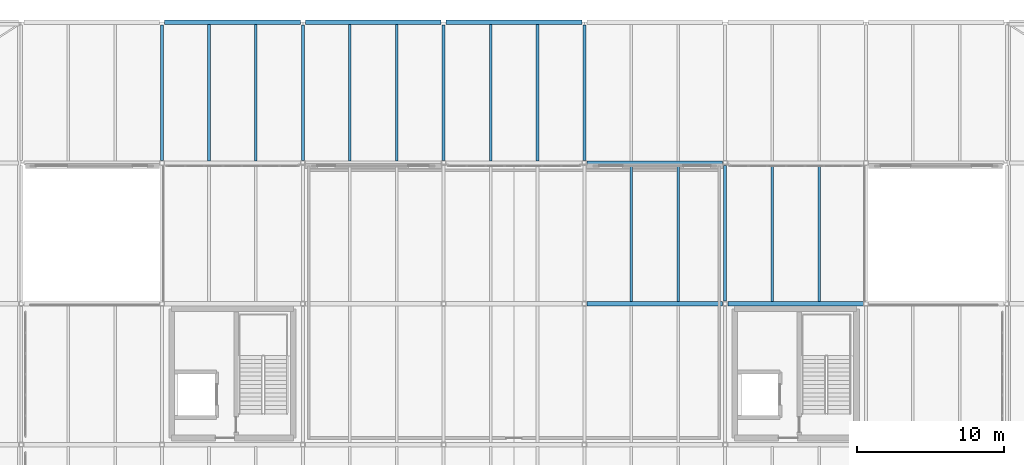
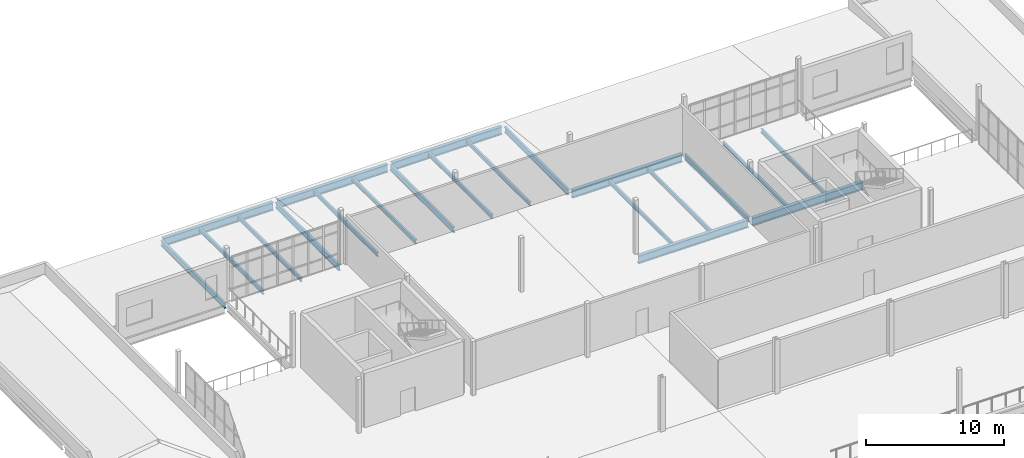
# One storey, part 52 of 112: 21 beams.
"""IFC4 building model written with IfcOpenShell, lengths in metres."""

from ifc_helpers import new_model, si_unit, direction, frame, origin, origin_2d, place, context, subcontext, project, spatial, i_section, extrude, material, material_profile, profile_set, type_object, element, save


model = new_model("IFC4")

# Units and contexts
model_context = context("Model", 3, precision=1e-05, world=origin(), true_north=direction((0.0, 1.0)))
body_context = subcontext(model_context, "Body", "Model", "MODEL_VIEW")
ifc_project = project(units=[si_unit("LENGTHUNIT", "METRE"), si_unit("AREAUNIT", "SQUARE_METRE"), si_unit("VOLUMEUNIT", "CUBIC_METRE"), si_unit("PLANEANGLEUNIT", "RADIAN"), si_unit("MASSUNIT", "GRAM", prefix="KILO")], contexts=[model_context])

# Site, building, storey
site_placement = place(None, origin())
site = spatial("IfcSite", under=ifc_project, at=site_placement, CompositionType="ELEMENT")
building_placement = place(site_placement, origin())
building = spatial("IfcBuilding", under=site, at=building_placement, Name="Yeouljin Market Hall", CompositionType="ELEMENT")
storey_placement = place(building_placement, frame((0.0, 0.0, 6.0)))
storey = spatial("IfcBuildingStorey", under=building, at=storey_placement, Name="L01", CompositionType="ELEMENT", Elevation=6.0)

# Beams
ifc_material_1 = material(Name="Steel SM355", Category="steel")
ifc_material_profile_1 = material_profile(ifc_material_1, i_section(OverallWidth=0.199951171875, OverallDepth=0.5, WebThickness=0.010009765625, FlangeThickness=0.01611328125, FilletRadius=0.02001953125, at=origin_2d()), Name="H-500x200x10x16")
ifc_profile_set_1 = profile_set([ifc_material_profile_1], Name="Steel SM355")
beam_type_1 = type_object("IfcBeamType", Name="Beam_H-500x200x10x16", PredefinedType="BEAM", material=ifc_profile_set_1)
for number, where, z_axis, x_axis, name in (
    (1, (102.60009765625, 98.574951171875, -0.510009765625), (0.0, 1.0, 0.0), (-1.0, 0.0, 0.0), "Primary beam BM-L01-Y188"),
    (2, (64.199951171875, 108.175048828125, -0.530029296875), (0.0, 1.0, 0.0), (-1.0, 0.0, 0.0), "Primary beam BM-V4DK-Y01"),
    (3, (73.800048828125, 108.175048828125, -0.530029296875), (0.0, 1.0, 0.0), (-1.0, 0.0, 0.0), "Primary beam BM-V4DK-Y02"),
    (4, (83.39990234375, 108.175048828125, -0.530029296875), (0.0, 1.0, 0.0), (-1.0, 0.0, 0.0), "Primary beam BM-V4DK-Y03"),
    (5, (93.0, 108.175048828125, -0.530029296875), (0.0, 1.0, 0.0), (-1.0, 0.0, 0.0), "Primary beam BM-V4DK-Y04"),
):
    element("IfcBeam", number, at=place(storey_placement, frame(where, z_axis=z_axis, x_axis=x_axis)), inside=storey, type_object=beam_type_1, Name=name, PredefinedType="BEAM", context=body_context, shape_type="SweptSolid", body=[
        extrude(i_section(OverallWidth=0.199951171875, OverallDepth=0.5, WebThickness=0.010009765625, FlangeThickness=0.01611328125, FilletRadius=0.02001953125, at=origin_2d()), origin(), (0.0, 0.0, 1.0), 9.25),
    ])
ifc_material_2 = material(Name="Steel SM355", Category="steel")
ifc_material_profile_2 = material_profile(ifc_material_2, i_section(OverallWidth=0.300048828125, OverallDepth=0.699951171875, WebThickness=0.012939453125, FlangeThickness=0.02392578125, FilletRadius=0.02587890625, at=origin_2d()), Name="H-700x300x13x24")
ifc_profile_set_2 = profile_set([ifc_material_profile_2], Name="Steel SM355")
beam_type_2 = type_object("IfcBeamType", Name="Girder_H-700x300x13x24", PredefinedType="USERDEFINED", material=ifc_profile_set_2)
for number, where, z_axis, x_axis, name in (
    (6, (93.175048828125, 98.39990234375, -0.610107421875), (1.0, 0.0, 0.0), (0.0, 1.0, 0.0), "Primary girder GRD-L01-X111"),
    (7, (102.77490234375, 98.39990234375, -0.610107421875), (1.0, 0.0, 0.0), (0.0, 1.0, 0.0), "Primary girder GRD-L01-X112"),
    (8, (93.175048828125, 108.0, -0.610107421875), (1.0, 0.0, 0.0), (0.0, 1.0, 0.0), "Primary girder GRD-L01-X119"),
    (9, (64.375, 117.60009765625, -0.6298828125), (1.0, 0.0, 0.0), (0.0, 1.0, 0.0), "Primary girder GRD-V4DK-X02"),
    (10, (73.97509765625, 117.60009765625, -0.6298828125), (1.0, 0.0, 0.0), (0.0, 1.0, 0.0), "Primary girder GRD-V4DK-X03"),
    (11, (83.574951171875, 117.60009765625, -0.6298828125), (1.0, 0.0, 0.0), (0.0, 1.0, 0.0), "Primary girder GRD-V4DK-X04"),
):
    element("IfcBeam", number, at=place(storey_placement, frame(where, z_axis=z_axis, x_axis=x_axis)), inside=storey, type_object=beam_type_2, Name=name, ObjectType="GIRDER", PredefinedType="USERDEFINED", context=body_context, shape_type="SweptSolid", body=[
        extrude(i_section(OverallWidth=0.300048828125, OverallDepth=0.699951171875, WebThickness=0.012939453125, FlangeThickness=0.02392578125, FilletRadius=0.02587890625, at=origin_2d()), origin(), (0.0, 0.0, 1.0), 9.25),
    ])
ifc_material_3 = material(Name="Steel SM355", Category="steel")
ifc_material_profile_3 = material_profile(ifc_material_3, i_section(OverallWidth=0.175048828125, OverallDepth=0.35009765625, WebThickness=0.007080078125, FlangeThickness=0.010986328125, FilletRadius=0.013916015625, at=origin_2d()), Name="H-350x175x7x11")
ifc_profile_set_3 = profile_set([ifc_material_profile_3], Name="Steel SM355")
beam_type_3 = type_object("IfcBeamType", Name="Joist_H-350x175x7x11", PredefinedType="JOIST", material=ifc_profile_set_3)
for number, where, z_axis, x_axis, name in (
    (12, (96.199951171875, 98.547119140625, -0.43505859375), (0.0, 1.0, 0.0), (-1.0, 0.0, 0.0), "Secondary floor joist L01-068"),
    (13, (99.39990234375, 98.547119140625, -0.43505859375), (0.0, 1.0, 0.0), (-1.0, 0.0, 0.0), "Secondary floor joist L01-069"),
    (14, (105.800048828125, 98.547119140625, -0.43505859375), (0.0, 1.0, 0.0), (-1.0, 0.0, 0.0), "Secondary floor joist L01-072"),
    (15, (109.0, 98.547119140625, -0.43505859375), (0.0, 1.0, 0.0), (-1.0, 0.0, 0.0), "Secondary floor joist L01-073"),
    (16, (67.39990234375, 108.14697265625, -0.455078125), (0.0, 1.0, 0.0), (-1.0, 0.0, 0.0), "Secondary floor joist JST-V4DK-03"),
    (17, (70.60009765625, 108.14697265625, -0.455078125), (0.0, 1.0, 0.0), (-1.0, 0.0, 0.0), "Secondary floor joist JST-V4DK-04"),
    (18, (77.0, 108.14697265625, -0.455078125), (0.0, 1.0, 0.0), (-1.0, 0.0, 0.0), "Secondary floor joist JST-V4DK-05"),
    (19, (80.199951171875, 108.14697265625, -0.455078125), (0.0, 1.0, 0.0), (-1.0, 0.0, 0.0), "Secondary floor joist JST-V4DK-06"),
    (20, (86.60009765625, 108.14697265625, -0.455078125), (0.0, 1.0, 0.0), (-1.0, 0.0, 0.0), "Secondary floor joist JST-V4DK-07"),
    (21, (89.800048828125, 108.14697265625, -0.455078125), (0.0, 1.0, 0.0), (-1.0, 0.0, 0.0), "Secondary floor joist JST-V4DK-08"),
):
    element("IfcBeam", number, at=place(storey_placement, frame(where, z_axis=z_axis, x_axis=x_axis)), inside=storey, type_object=beam_type_3, Name=name, PredefinedType="JOIST", context=body_context, shape_type="SweptSolid", body=[
        extrude(i_section(OverallWidth=0.175048828125, OverallDepth=0.35009765625, WebThickness=0.007080078125, FlangeThickness=0.010986328125, FilletRadius=0.013916015625, at=origin_2d()), origin(), (0.0, 0.0, 1.0), 9.305908203125),
    ])

save(model, "model.ifc")
